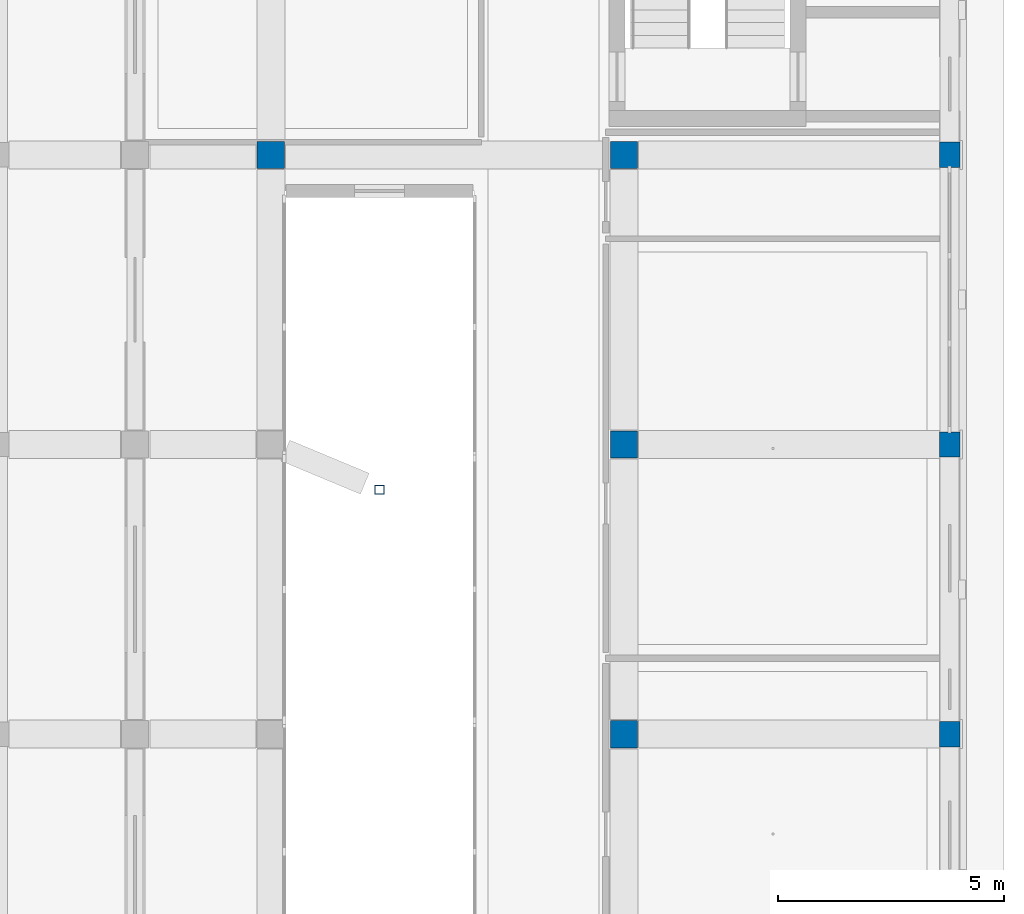
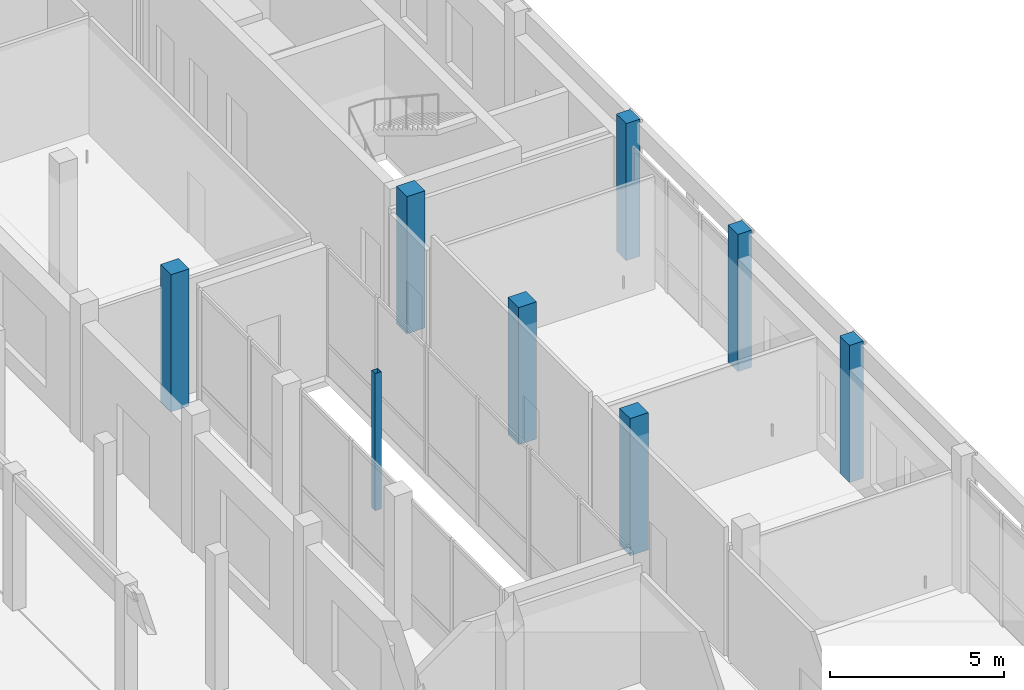
# One storey, part 14 of 88: 8 columns.
"""IFC4 building model written with IfcOpenShell, lengths in metres."""

from ifc_helpers import new_model, si_unit, derived_unit, direction, frame, origin, origin_2d, place, context, subcontext, project, spatial, rectangle, hollow_rectangle, extrude, material, material_profile, profile_set, type_object, element, save


model = new_model("IFC4")

# Units and contexts
model_context = context("Model", 3, precision=1e-05, world=origin(), true_north=direction((0.0, 1.0)))
body_context = subcontext(model_context, "Body", "Model", "MODEL_VIEW")
ifc_project = project(units=[si_unit("LENGTHUNIT", "METRE"), si_unit("AREAUNIT", "SQUARE_METRE"), si_unit("VOLUMEUNIT", "CUBIC_METRE"), si_unit("PLANEANGLEUNIT", "RADIAN"), si_unit("MASSUNIT", "GRAM", prefix="KILO"), derived_unit("THERMALTRANSMITTANCEUNIT", [(si_unit("POWERUNIT", "WATT"), 1), (si_unit("LENGTHUNIT", "METRE"), -2), (si_unit("THERMODYNAMICTEMPERATUREUNIT", "KELVIN"), -1)])], contexts=[model_context])

# Site, building, storey
site_placement = place(None, origin())
site = spatial("IfcSite", under=ifc_project, at=site_placement, CompositionType="ELEMENT")
building_placement = place(site_placement, origin())
building = spatial("IfcBuilding", under=site, at=building_placement, Name="Braskholm Square Health Centre", CompositionType="ELEMENT")
storey_placement = place(building_placement, origin())
storey = spatial("IfcBuildingStorey", under=building, at=storey_placement, Name="L01", CompositionType="ELEMENT", Elevation=0.0)

# Columns
ifc_material_1 = material(Name="Concrete C40/50 (f'c = 40 MPa)", Category="concrete")
ifc_material_profile_1 = material_profile(ifc_material_1, rectangle(XDim=0.60009765625, YDim=0.60009765625, at=origin_2d()), Name="RC-600X600")
ifc_profile_set_1 = profile_set([ifc_material_profile_1], Name="Concrete C40/50 (f'c = 40 MPa)")
column_type_1 = type_object("IfcColumnType", Name="ColInteriorLow600", PredefinedType="COLUMN", material=ifc_profile_set_1)
for number, where, z_axis, x_axis, name in (
    (1, (148.800048828125, 49.0, 0.0), (0.0, 0.0, 1.0), (1.0, 0.0, 0.0), "Column 20/H L01"),
    (2, (156.60009765625, 36.199951171875, 0.0), (0.0, 0.0, 1.0), (1.0, 0.0, 0.0), "Column 21/F L01"),
    (3, (156.60009765625, 42.60009765625, 0.0), (0.0, 0.0, 1.0), (1.0, 0.0, 0.0), "Column 21/G L01"),
    (4, (156.60009765625, 49.0, 0.0), (0.0, 0.0, 1.0), (1.0, 0.0, 0.0), "Column 21/H L01"),
):
    element("IfcColumn", number, at=place(storey_placement, frame(where, z_axis=z_axis, x_axis=x_axis)), inside=storey, type_object=column_type_1, Name=name, PredefinedType="COLUMN", context=body_context, shape_type="SweptSolid", body=[
        extrude(rectangle(XDim=0.60009765625, YDim=0.60009765625, at=origin_2d()), origin(), (0.0, 0.0, 1.0), 4.800048828125),
    ])
ifc_material_2 = material(Name="Precast concrete C40/50 architectural white", Category="concrete")
ifc_material_profile_2 = material_profile(ifc_material_2, rectangle(XDim=0.4599609375, YDim=0.56005859375, at=origin_2d()), Name="RC-460X560")
ifc_profile_set_2 = profile_set([ifc_material_profile_2], Name="Precast concrete C40/50 architectural white")
column_type_2 = type_object("IfcColumnType", Name="ColPrecastFrame460x560", PredefinedType="COLUMN", material=ifc_profile_set_2)
for number, where, z_axis, x_axis, name in (
    (5, (163.800048828125, 36.199951171875, 0.0), (0.0, 0.0, 1.0), (1.0, 0.0, 0.0), "Column 22/F L01"),
    (6, (163.800048828125, 42.60009765625, 0.0), (0.0, 0.0, 1.0), (1.0, 0.0, 0.0), "Column 22/G L01"),
    (7, (163.800048828125, 49.0, 0.0), (0.0, 0.0, 1.0), (1.0, 0.0, 0.0), "Column 22/H L01"),
):
    element("IfcColumn", number, at=place(storey_placement, frame(where, z_axis=z_axis, x_axis=x_axis)), inside=storey, type_object=column_type_2, Name=name, PredefinedType="COLUMN", context=body_context, shape_type="SweptSolid", body=[
        extrude(rectangle(XDim=0.4599609375, YDim=0.56005859375, at=origin_2d()), origin(), (0.0, 0.0, 1.0), 4.800048828125),
    ])
ifc_material_3 = material(Name="Steel ASTM A500 Grade C", Category="steel")
ifc_material_profile_3 = material_profile(ifc_material_3, hollow_rectangle(XDim=0.203125, YDim=0.203125, WallThickness=0.0087890625, at=origin_2d()), Name="HSS8X8X3/8")
ifc_profile_set_3 = profile_set([ifc_material_profile_3], Name="Steel ASTM A500 Grade C")
column_type_3 = type_object("IfcColumnType", Name="ColSteelPorchHSS8", PredefinedType="COLUMN", material=ifc_profile_set_3)
column_placement = place(storey_placement, frame((151.199951171875, 41.60009765625, 0.0), z_axis=(0.0, 0.0, 1.0), x_axis=(1.0, 0.0, 0.0)))
element("IfcColumn", 8, at=column_placement, inside=storey, type_object=column_type_3, Name="Column CS3D L01", PredefinedType="COLUMN", context=body_context, shape_type="SweptSolid", body=[
    extrude(hollow_rectangle(XDim=0.203125, YDim=0.203125, WallThickness=0.0087890625, at=origin_2d()), origin(), (0.0, 0.0, 1.0), 4.800048828125),
])

save(model, "model.ifc")
